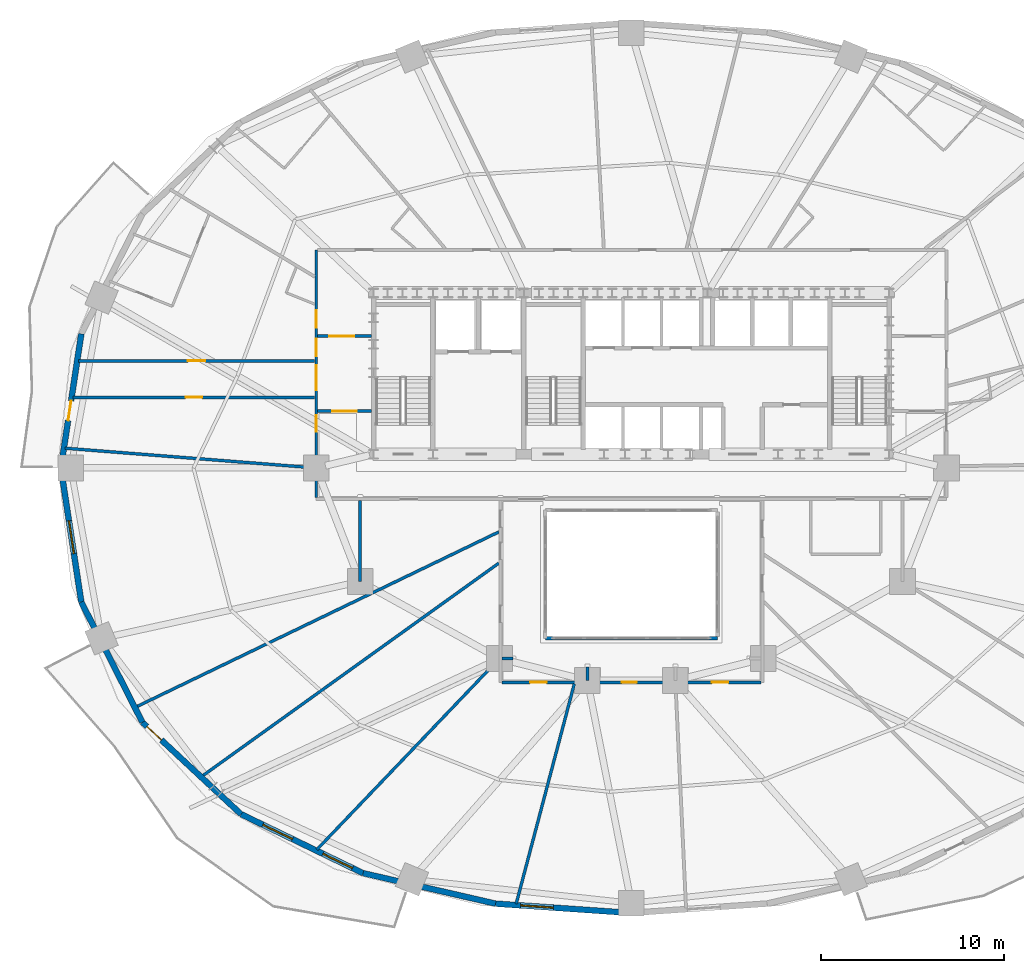
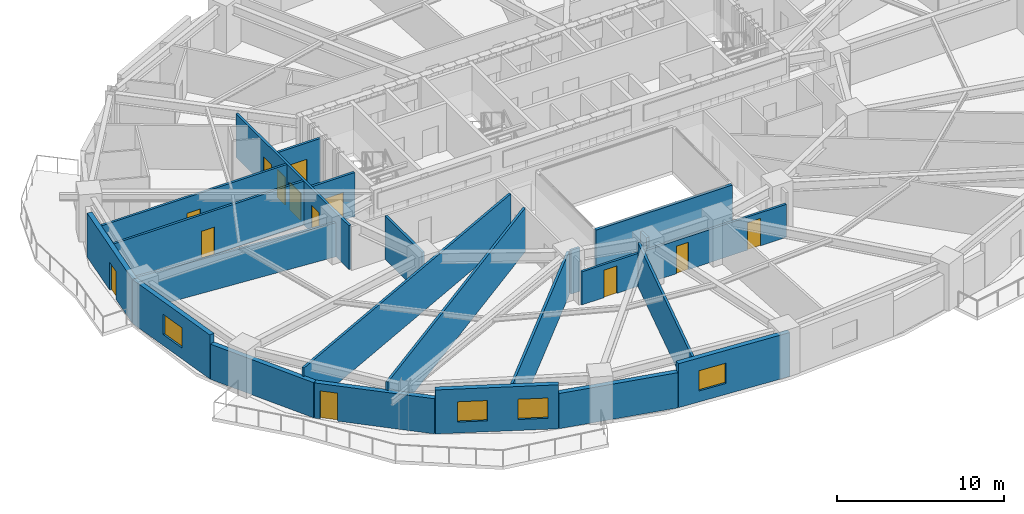
# One storey, part 9 of 17: 22 walls, 13 doors, 4 windows, 17 openings.
"""IFC4 building model written with IfcOpenShell, lengths in metres."""

from ifc_helpers import new_model, si_unit, direction, frame, frame_2d, origin, place, context, subcontext, project, spatial, rectangle, extrude, material, layer, layer_set, type_object, element, fill, save


model = new_model("IFC4")

# Units and contexts
model_context = context("Model", 3, precision=1e-05, world=origin(), true_north=direction((0.0, 1.0)))
body_context = subcontext(model_context, "Body", "Model", "MODEL_VIEW")
ifc_project = project(units=[si_unit("LENGTHUNIT", "METRE"), si_unit("AREAUNIT", "SQUARE_METRE"), si_unit("VOLUMEUNIT", "CUBIC_METRE"), si_unit("PLANEANGLEUNIT", "RADIAN"), si_unit("MASSUNIT", "GRAM", prefix="KILO")], contexts=[model_context])

# Site, building, storey
site_placement = place(None, origin())
site = spatial("IfcSite", under=ifc_project, at=site_placement, CompositionType="ELEMENT")
building_placement = place(site_placement, origin())
building = spatial("IfcBuilding", under=site, at=building_placement, Name="Haldorwick Loom Tower", CompositionType="ELEMENT")
storey_placement = place(building_placement, frame((0.0, 0.0, 30.89990234375)))
storey = spatial("IfcBuildingStorey", under=building, at=storey_placement, Name="L07", CompositionType="ELEMENT", Elevation=30.89990234375)

# Wall, opening, door
ifc_material_1 = material(Name="Pressed Clay Face Brick and Insulated Masonry Backup Assembly", Category="masonry")
ifc_layer_1 = layer(ifc_material_1, 0.320068359375, Name="Pressed Clay Face Brick and Insulated Masonry Backup Assembly", Category="masonry")
ifc_layer_set_1 = layer_set([ifc_layer_1], Name="Pressed Clay Face Brick and Insulated Masonry Backup Assembly")
wall_type_1 = type_object("IfcWallType", Name="ARC-WL-EXT320", PredefinedType="STANDARD", material=ifc_layer_set_1)
wall_1_placement = place(storey_placement, frame((5.978271484375, 33.320556640625, 0.0), z_axis=(0.0, 0.0, 1.0), x_axis=(-0.150476322528, -0.988613613278, 0.0)))
wall_1 = element("IfcWall", 1, at=wall_1_placement, inside=storey, type_object=wall_type_1, Name="L07 Brick Pier and Spandrel Wall 12", PredefinedType="STANDARD", context=body_context, shape_type="SweptSolid", body=[
    extrude(rectangle(XDim=7.40478515625, YDim=0.320068359375, at=frame_2d((3.702392578125, 0.0))), origin(), (0.0, 0.0, 1.0), 3.210205078125),
])
opening_1_placement = place(wall_1_placement, frame((3.702880859375, 0.0, 0.0)))
opening_1 = element("IfcOpeningElement", 2, at=opening_1_placement, cuts=wall_1, Name="Opening D-BL11", PredefinedType="OPENING", context=body_context, shape_type="SweptSolid", body=[
    extrude(rectangle(XDim=1.080078125, YDim=2.0400390625, at=frame_2d((0.5400390625, 1.02001953125))), frame((0.0, 0.169921875, 0.0), z_axis=(0.0, -1.0, 0.0), x_axis=(1.0, 0.0, 0.0)), (0.0, 0.0, 1.0), 0.340087890625),
])
ifc_material_2 = material(Name="Thermally Broken Anodized Aluminium Curtain Wall Framing", Category="aluminium")
door_type_1 = type_object("IfcDoorType", Name="ARC-DR-BAL110", OperationType="NOTDEFINED", PredefinedType="DOOR", material=ifc_material_2)
door_1_placement = place(opening_1_placement, origin())
door_1 = element("IfcDoor", 3, at=door_1_placement, inside=storey, type_object=door_type_1, Name="L07 Outdoor Terrace Door SLB-L07-BAL_WNW", OperationType="SINGLE_SWING_LEFT", OverallHeight=2.0400390625, OverallWidth=1.080078125, PredefinedType="DOOR", context=body_context, shape_type="SweptSolid", body=[
    extrude(rectangle(XDim=1.080078125, YDim=2.0400390625, at=frame_2d((0.5400390625, 1.02001953125))), frame((0.0, 0.02490234375, 0.0), z_axis=(0.0, -1.0, 0.0), x_axis=(1.0, 0.0, 0.0)), (0.0, 0.0, 1.0), 0.050048828125),
])
fill(opening_1, door_1)

# Wall, opening, window
wall_2_placement = place(storey_placement, frame((4.864013671875, 26.0, 0.0), z_axis=(0.0, 0.0, 1.0), x_axis=(0.150476322528, -0.988613613278, 0.0)))
wall_2 = element("IfcWall", 4, at=wall_2_placement, inside=storey, type_object=wall_type_1, Name="L07 Brick Pier and Spandrel Wall 13", PredefinedType="STANDARD", context=body_context, shape_type="SweptSolid", body=[
    extrude(rectangle(XDim=7.40478515625, YDim=0.320068359375, at=frame_2d((3.702392578125, 0.0))), origin(), (0.0, 0.0, 1.0), 3.210205078125),
])
opening_2_placement = place(wall_2_placement, frame((2.922607421875, 0.0, 0.800048828125)))
opening_2 = element("IfcOpeningElement", 5, at=opening_2_placement, cuts=wall_2, Name="Opening W-01", PredefinedType="OPENING", context=body_context, shape_type="SweptSolid", body=[
    extrude(rectangle(XDim=1.800048828125, YDim=1.47998046875, at=frame_2d((0.89990234375, 0.739990234375))), frame((0.0, 0.169921875, 0.0), z_axis=(0.0, -1.0, 0.0), x_axis=(1.0, 0.0, 0.0)), (0.0, 0.0, 1.0), 0.340087890625),
])
ifc_material_3 = material(Name="Triple-Glazed Low-E Argon Insulated Glazing Unit", Category="glass")
window_type = type_object("IfcWindowType", Name="ARC-WIN-W180", PartitioningType="SINGLE_PANEL", PredefinedType="WINDOW", material=ifc_material_3)
window_1_placement = place(opening_2_placement, origin())
window_1 = element("IfcWindow", 6, at=window_1_placement, inside=storey, type_object=window_type, Name="L07 Deep-Set Zone 7A Window 13", OverallHeight=1.47998046875, OverallWidth=1.800048828125, PartitioningType="SINGLE_PANEL", PredefinedType="WINDOW", context=body_context, shape_type="SweptSolid", body=[
    extrude(rectangle(XDim=1.800048828125, YDim=1.47998046875, at=frame_2d((0.89990234375, 0.739990234375))), frame((0.0, 0.030029296875, 0.0), z_axis=(0.0, -1.0, 0.0), x_axis=(1.0, 0.0, 0.0)), (0.0, 0.0, 1.0), 0.06005859375),
])
fill(opening_2, window_1)

# Wall
wall_3_placement = place(storey_placement, frame((5.978271484375, 18.679443359375, 0.0), z_axis=(0.0, 0.0, 1.0), x_axis=(0.452950855928, -0.891535485617, 0.0)))
element("IfcWall", 7, at=wall_3_placement, inside=storey, type_object=wall_type_1, Name="L07 Brick Pier and Spandrel Wall 14", PredefinedType="STANDARD", context=body_context, shape_type="SweptSolid", body=[
    extrude(rectangle(XDim=7.3583984375, YDim=0.320068359375, at=frame_2d((3.67919921875, 0.0))), origin(), (0.0, 0.0, 1.0), 2.569091796875),
])

# Wall, opening, door
wall_4_placement = place(storey_placement, frame((9.311279296875, 12.119140625, 0.0), z_axis=(0.0, 0.0, 1.0), x_axis=(0.73176101237, -0.681561311091, 0.0)))
wall_4 = element("IfcWall", 8, at=wall_4_placement, inside=storey, type_object=wall_type_1, Name="L07 Brick Pier and Spandrel Wall 15", PredefinedType="STANDARD", context=body_context, shape_type="SweptSolid", body=[
    extrude(rectangle(XDim=7.3583984375, YDim=0.320068359375, at=frame_2d((3.67919921875, 0.0))), origin(), (0.0, 0.0, 1.0), 2.569091796875),
])
opening_3_placement = place(wall_4_placement, frame((0.340087890625, 0.0, 0.0)))
opening_3 = element("IfcOpeningElement", 9, at=opening_3_placement, cuts=wall_4, Name="Opening D-BL11", PredefinedType="OPENING", context=body_context, shape_type="SweptSolid", body=[
    extrude(rectangle(XDim=1.080078125, YDim=2.0400390625, at=frame_2d((0.5400390625, 1.02001953125))), frame((0.0, 0.169921875, 0.0), z_axis=(0.0, -1.0, 0.0), x_axis=(1.0, 0.0, 0.0)), (0.0, 0.0, 1.0), 0.340087890625),
])
door_2_placement = place(opening_3_placement, origin())
door_2 = element("IfcDoor", 10, at=door_2_placement, inside=storey, type_object=door_type_1, Name="L07 Outdoor Terrace Door SLB-L07-BAL_SW", OperationType="SINGLE_SWING_LEFT", OverallHeight=2.0400390625, OverallWidth=1.080078125, PredefinedType="DOOR", context=body_context, shape_type="SweptSolid", body=[
    extrude(rectangle(XDim=1.080078125, YDim=2.0400390625, at=frame_2d((0.5400390625, 1.02001953125))), frame((0.0, 0.02490234375, 0.0), z_axis=(0.0, -1.0, 0.0), x_axis=(1.0, 0.0, 0.0)), (0.0, 0.0, 1.0), 0.050048828125),
])
fill(opening_3, door_2)

# Wall, openings, windows
wall_5_placement = place(storey_placement, frame((14.69580078125, 7.10400390625, 0.0), z_axis=(0.0, 0.0, 1.0), x_axis=(0.900295710431, -0.435278800057, 0.0)))
wall_5 = element("IfcWall", 11, at=wall_5_placement, inside=storey, type_object=wall_type_1, Name="L07 Brick Pier and Spandrel Wall 16", PredefinedType="STANDARD", context=body_context, shape_type="SweptSolid", body=[
    extrude(rectangle(XDim=7.39697265625, YDim=0.320068359375, at=frame_2d((3.698486328125, 0.0))), origin(), (0.0, 0.0, 1.0), 3.210205078125),
])
opening_4_placement = place(wall_5_placement, frame((1.319091796875, 0.0, 0.800048828125)))
opening_4 = element("IfcOpeningElement", 12, at=opening_4_placement, cuts=wall_5, Name="Opening W-01", PredefinedType="OPENING", context=body_context, shape_type="SweptSolid", body=[
    extrude(rectangle(XDim=1.800048828125, YDim=1.47998046875, at=frame_2d((0.89990234375, 0.739990234375))), frame((0.0, 0.169921875, 0.0), z_axis=(0.0, -1.0, 0.0), x_axis=(1.0, 0.0, 0.0)), (0.0, 0.0, 1.0), 0.340087890625),
])
opening_5_placement = place(wall_5_placement, frame((4.957275390625, 0.0, 0.800048828125)))
opening_5 = element("IfcOpeningElement", 13, at=opening_5_placement, cuts=wall_5, Name="Opening W-01", PredefinedType="OPENING", context=body_context, shape_type="SweptSolid", body=[
    extrude(rectangle(XDim=1.800048828125, YDim=1.47998046875, at=frame_2d((0.89990234375, 0.739990234375))), frame((0.0, 0.169921875, 0.0), z_axis=(0.0, -1.0, 0.0), x_axis=(1.0, 0.0, 0.0)), (0.0, 0.0, 1.0), 0.340087890625),
])
window_2_placement = place(opening_4_placement, origin())
window_2 = element("IfcWindow", 14, at=window_2_placement, inside=storey, type_object=window_type, Name="L07 Deep-Set Zone 7A Window 16", OverallHeight=1.47998046875, OverallWidth=1.800048828125, PartitioningType="SINGLE_PANEL", PredefinedType="WINDOW", context=body_context, shape_type="SweptSolid", body=[
    extrude(rectangle(XDim=1.800048828125, YDim=1.47998046875, at=frame_2d((0.89990234375, 0.739990234375))), frame((0.0, 0.030029296875, 0.0), z_axis=(0.0, -1.0, 0.0), x_axis=(1.0, 0.0, 0.0)), (0.0, 0.0, 1.0), 0.06005859375),
])
fill(opening_4, window_2)
window_3_placement = place(opening_5_placement, origin())
window_3 = element("IfcWindow", 15, at=window_3_placement, inside=storey, type_object=window_type, Name="L07 Deep-Set Zone 7A Window 16", OverallHeight=1.47998046875, OverallWidth=1.800048828125, PartitioningType="SINGLE_PANEL", PredefinedType="WINDOW", context=body_context, shape_type="SweptSolid", body=[
    extrude(rectangle(XDim=1.800048828125, YDim=1.47998046875, at=frame_2d((0.89990234375, 0.739990234375))), frame((0.0, 0.030029296875, 0.0), z_axis=(0.0, -1.0, 0.0), x_axis=(1.0, 0.0, 0.0)), (0.0, 0.0, 1.0), 0.06005859375),
])
fill(opening_5, window_3)

# Wall
wall_6_placement = place(storey_placement, frame((21.355224609375, 3.88427734375, 0.0), z_axis=(0.0, 0.0, 1.0), x_axis=(0.974522412345, -0.224290142088, 0.0)))
element("IfcWall", 16, at=wall_6_placement, inside=storey, type_object=wall_type_1, Name="L07 Brick Pier and Spandrel Wall 17", PredefinedType="STANDARD", context=body_context, shape_type="SweptSolid", body=[
    extrude(rectangle(XDim=7.422607421875, YDim=0.320068359375, at=frame_2d((3.71142578125, 0.0))), origin(), (0.0, 0.0, 1.0), 2.569091796875),
])

# Wall, opening, window
wall_7_placement = place(storey_placement, frame((28.588623046875, 2.219482421875, 0.0), z_axis=(0.0, 0.0, 1.0), x_axis=(0.997645161917, -0.068586667092, 0.0)))
wall_7 = element("IfcWall", 17, at=wall_7_placement, inside=storey, type_object=wall_type_1, Name="L07 Brick Pier and Spandrel Wall 18", PredefinedType="STANDARD", context=body_context, shape_type="SweptSolid", body=[
    extrude(rectangle(XDim=7.428955078125, YDim=0.320068359375, at=frame_2d((3.71435546875, 0.0))), origin(), (0.0, 0.0, 1.0), 3.210205078125),
])
opening_6_placement = place(wall_7_placement, frame((1.365966796875, 0.0, 0.800048828125)))
opening_6 = element("IfcOpeningElement", 18, at=opening_6_placement, cuts=wall_7, Name="Opening W-01", PredefinedType="OPENING", context=body_context, shape_type="SweptSolid", body=[
    extrude(rectangle(XDim=1.800048828125, YDim=1.47998046875, at=frame_2d((0.89990234375, 0.739990234375))), frame((0.0, 0.169921875, 0.0), z_axis=(0.0, -1.0, 0.0), x_axis=(1.0, 0.0, 0.0)), (0.0, 0.0, 1.0), 0.340087890625),
])
window_4_placement = place(opening_6_placement, origin())
window_4 = element("IfcWindow", 19, at=window_4_placement, inside=storey, type_object=window_type, Name="L07 Deep-Set Zone 7A Window 18", OverallHeight=1.47998046875, OverallWidth=1.800048828125, PartitioningType="SINGLE_PANEL", PredefinedType="WINDOW", context=body_context, shape_type="SweptSolid", body=[
    extrude(rectangle(XDim=1.800048828125, YDim=1.47998046875, at=frame_2d((0.89990234375, 0.739990234375))), frame((0.0, 0.030029296875, 0.0), z_axis=(0.0, -1.0, 0.0), x_axis=(1.0, 0.0, 0.0)), (0.0, 0.0, 1.0), 0.06005859375),
])
fill(opening_6, window_4)

# Wall, openings, doors
ifc_material_4 = material(Name="Fire-Rated Type X Gypsum Stud Assembly EI 60")
ifc_layer_2 = layer(ifc_material_4, 0.159912109375, Name="Fire-Rated Type X Gypsum Stud Assembly EI 60")
ifc_layer_set_2 = layer_set([ifc_layer_2], Name="Fire-Rated Type X Gypsum Stud Assembly EI 60")
wall_type_2 = type_object("IfcWallType", Name="ARC-WL-FIRE160", PredefinedType="PARTITIONING", material=ifc_layer_set_2)
wall_8_placement = place(storey_placement, frame((18.800048828125, 24.383056640625, 0.0), z_axis=(0.0, 0.0, 1.0), x_axis=(0.0, 1.0, 0.0)))
wall_8 = element("IfcWall", 20, at=wall_8_placement, inside=storey, type_object=wall_type_2, Name="L07 Residential Fire Partition L07-CR-W0", PredefinedType="PARTITIONING", context=body_context, shape_type="SweptSolid", body=[
    extrude(rectangle(XDim=13.516845703125, YDim=0.159912109375, at=frame_2d((6.75830078125, 0.0))), origin(), (0.0, 0.0, 1.0), 3.195068359375),
])
opening_7_placement = place(wall_8_placement, frame((5.86181640625, 0.0, 0.0)))
opening_7 = element("IfcOpeningElement", 21, at=opening_7_placement, cuts=wall_8, Name="Opening D-CR15", PredefinedType="OPENING", context=body_context, shape_type="SweptSolid", body=[
    extrude(rectangle(XDim=1.35009765625, YDim=2.0, at=frame_2d((0.675048828125, 1.0))), frame((0.0, 0.08984375, 0.0), z_axis=(0.0, -1.0, 0.0), x_axis=(1.0, 0.0, 0.0)), (0.0, 0.0, 1.0), 0.179931640625),
])
opening_8_placement = place(wall_8_placement, frame((3.5908203125, 0.0, 0.0)))
opening_8 = element("IfcOpeningElement", 22, at=opening_8_placement, cuts=wall_8, Name="Opening D-FD60A", PredefinedType="OPENING", context=body_context, shape_type="SweptSolid", body=[
    extrude(rectangle(XDim=0.89990234375, YDim=2.0, at=frame_2d((0.449951171875, 1.0))), frame((0.0, 0.08984375, 0.0), z_axis=(0.0, -1.0, 0.0), x_axis=(1.0, 0.0, 0.0)), (0.0, 0.0, 1.0), 0.179931640625),
])
opening_9_placement = place(wall_8_placement, frame((9.27490234375, 0.0, 0.0)))
opening_9 = element("IfcOpeningElement", 23, at=opening_9_placement, cuts=wall_8, Name="Opening D-FL95", PredefinedType="OPENING", context=body_context, shape_type="SweptSolid", body=[
    extrude(rectangle(XDim=0.949951171875, YDim=2.0400390625, at=frame_2d((0.47509765625, 1.02001953125))), frame((0.0, 0.08984375, 0.0), z_axis=(0.0, -1.0, 0.0), x_axis=(1.0, 0.0, 0.0)), (0.0, 0.0, 1.0), 0.179931640625),
])
opening_10_placement = place(wall_8_placement, frame((7.723876953125, 0.0, 0.0)))
opening_10 = element("IfcOpeningElement", 24, at=opening_10_placement, cuts=wall_8, Name="Opening D-FL95", PredefinedType="OPENING", context=body_context, shape_type="SweptSolid", body=[
    extrude(rectangle(XDim=0.949951171875, YDim=2.0400390625, at=frame_2d((0.47509765625, 1.02001953125))), frame((0.0, 0.08984375, 0.0), z_axis=(0.0, -1.0, 0.0), x_axis=(1.0, 0.0, 0.0)), (0.0, 0.0, 1.0), 0.179931640625),
])
ifc_material_5 = material(Name="Thermally Broken Anodized Aluminium and Tempered Glass", Category="aluminium")
door_type_2 = type_object("IfcDoorType", Name="ARC-DR-COR150", OperationType="NOTDEFINED", PredefinedType="DOOR", material=ifc_material_5)
door_3_placement = place(opening_7_placement, origin())
door_3 = element("IfcDoor", 25, at=door_3_placement, inside=storey, type_object=door_type_2, Name="L07 L07 West Daylight Corridor to L07 West Residential Corridor Door", OperationType="DOUBLE_DOOR_SINGLE_SWING", OverallHeight=2.0, OverallWidth=1.35009765625, PredefinedType="DOOR", context=body_context, shape_type="SweptSolid", body=[
    extrude(rectangle(XDim=1.35009765625, YDim=2.0, at=frame_2d((0.675048828125, 1.0))), frame((0.0, 0.02490234375, 0.0), z_axis=(0.0, -1.0, 0.0), x_axis=(1.0, 0.0, 0.0)), (0.0, 0.0, 1.0), 0.050048828125),
])
fill(opening_7, door_3)
ifc_material_6 = material(Name="Hollow Steel Fire Door Assembly", Category="steel")
door_type_3 = type_object("IfcDoorType", Name="ARC-DR-FD60-90", OperationType="NOTDEFINED", PredefinedType="DOOR", material=ifc_material_6)
door_4_placement = place(opening_8_placement, frame((0.89990234375, 0.0, 0.0), z_axis=(0.0, 0.0, 1.0), x_axis=(-1.0, 0.0, 0.0)))
door_4 = element("IfcDoor", 26, at=door_4_placement, inside=storey, type_object=door_type_3, Name="L07 Community Library Room 1 to L07 Central Residential Corridor Door", OperationType="SINGLE_SWING_LEFT", OverallHeight=2.0, OverallWidth=0.89990234375, PredefinedType="DOOR", context=body_context, shape_type="SweptSolid", body=[
    extrude(rectangle(XDim=0.89990234375, YDim=2.0, at=frame_2d((0.449951171875, 1.0))), frame((0.0, 0.02490234375, 0.0), z_axis=(0.0, -1.0, 0.0), x_axis=(1.0, 0.0, 0.0)), (0.0, 0.0, 1.0), 0.050048828125),
])
fill(opening_8, door_4)
ifc_material_7 = material(Name="Solid Core Birch Architectural Door")
door_type_4 = type_object("IfcDoorType", Name="ARC-DR-FLAT95", OperationType="NOTDEFINED", PredefinedType="DOOR", material=ifc_material_7)
door_5_placement = place(opening_9_placement, frame((0.949951171875, 0.0, 0.0), z_axis=(0.0, 0.0, 1.0), x_axis=(-1.0, 0.0, 0.0)))
door_5 = element("IfcDoor", 27, at=door_5_placement, inside=storey, type_object=door_type_4, Name="L07 Unit 07A Kitchen and Living Room to L07 North Residential Corridor D", OperationType="SINGLE_SWING_LEFT", OverallHeight=2.0400390625, OverallWidth=0.949951171875, PredefinedType="DOOR", context=body_context, shape_type="SweptSolid", body=[
    extrude(rectangle(XDim=0.949951171875, YDim=2.0400390625, at=frame_2d((0.47509765625, 1.02001953125))), frame((0.0, 0.02490234375, 0.0), z_axis=(0.0, -1.0, 0.0), x_axis=(1.0, 0.0, 0.0)), (0.0, 0.0, 1.0), 0.050048828125),
])
fill(opening_9, door_5)
door_6_placement = place(opening_10_placement, frame((0.949951171875, 0.0, 0.0), z_axis=(0.0, 0.0, 1.0), x_axis=(-1.0, 0.0, 0.0)))
door_6 = element("IfcDoor", 28, at=door_6_placement, inside=storey, type_object=door_type_4, Name="L07 Unit 07A Kitchen and Living Room to L07 West Residential Corridor Do", OperationType="SINGLE_SWING_RIGHT", OverallHeight=2.0400390625, OverallWidth=0.949951171875, PredefinedType="DOOR", context=body_context, shape_type="SweptSolid", body=[
    extrude(rectangle(XDim=0.949951171875, YDim=2.0400390625, at=frame_2d((0.47509765625, 1.02001953125))), frame((0.0, 0.02490234375, 0.0), z_axis=(0.0, -1.0, 0.0), x_axis=(1.0, 0.0, 0.0)), (0.0, 0.0, 1.0), 0.050048828125),
])
fill(opening_10, door_6)

# Wall, opening, door
wall_9_placement = place(storey_placement, frame((18.883056640625, 29.10009765625, 0.0), z_axis=(0.0, 0.0, 1.0), x_axis=(1.0, 0.0, 0.0)))
wall_9 = element("IfcWall", 29, at=wall_9_placement, inside=storey, type_object=wall_type_2, Name="L07 Residential Fire Partition L07-CR-WSJ", PredefinedType="PARTITIONING", context=body_context, shape_type="SweptSolid", body=[
    extrude(rectangle(XDim=2.923828125, YDim=0.159912109375, at=frame_2d((1.4619140625, 0.0))), origin(), (0.0, 0.0, 1.0), 3.195068359375),
])
opening_11_placement = place(wall_9_placement, frame((0.787109375, 0.0, 0.0)))
opening_11 = element("IfcOpeningElement", 30, at=opening_11_placement, cuts=wall_9, Name="Opening D-CR15", PredefinedType="OPENING", context=body_context, shape_type="SweptSolid", body=[
    extrude(rectangle(XDim=1.35009765625, YDim=2.0, at=frame_2d((0.675048828125, 1.0))), frame((0.0, 0.08984375, 0.0), z_axis=(0.0, -1.0, 0.0), x_axis=(1.0, 0.0, 0.0)), (0.0, 0.0, 1.0), 0.179931640625),
])
door_7_placement = place(opening_11_placement, origin())
door_7 = element("IfcDoor", 31, at=door_7_placement, inside=storey, type_object=door_type_2, Name="L07 L07 West Residential Corridor to L07 Central Residential Corridor Do", OperationType="DOUBLE_DOOR_SINGLE_SWING", OverallHeight=2.0, OverallWidth=1.35009765625, PredefinedType="DOOR", context=body_context, shape_type="SweptSolid", body=[
    extrude(rectangle(XDim=1.35009765625, YDim=2.0, at=frame_2d((0.675048828125, 1.0))), frame((0.0, 0.02490234375, 0.0), z_axis=(0.0, -1.0, 0.0), x_axis=(1.0, 0.0, 0.0)), (0.0, 0.0, 1.0), 0.050048828125),
])
fill(opening_11, door_7)

wall_10_placement = place(storey_placement, frame((18.883056640625, 33.199951171875, 0.0), z_axis=(0.0, 0.0, 1.0), x_axis=(1.0, 0.0, 0.0)))
wall_10 = element("IfcWall", 32, at=wall_10_placement, inside=storey, type_object=wall_type_2, Name="L07 Residential Fire Partition L07-CR-WNJ", PredefinedType="PARTITIONING", context=body_context, shape_type="SweptSolid", body=[
    extrude(rectangle(XDim=2.923828125, YDim=0.159912109375, at=frame_2d((1.4619140625, 0.0))), origin(), (0.0, 0.0, 1.0), 3.195068359375),
])
opening_12_placement = place(wall_10_placement, frame((0.637939453125, 0.0, 0.0)))
opening_12 = element("IfcOpeningElement", 33, at=opening_12_placement, cuts=wall_10, Name="Opening D-CR15", PredefinedType="OPENING", context=body_context, shape_type="SweptSolid", body=[
    extrude(rectangle(XDim=1.35009765625, YDim=2.0, at=frame_2d((0.675048828125, 1.0))), frame((0.0, 0.08984375, 0.0), z_axis=(0.0, -1.0, 0.0), x_axis=(1.0, 0.0, 0.0)), (0.0, 0.0, 1.0), 0.179931640625),
])
door_8_placement = place(opening_12_placement, origin())
door_8 = element("IfcDoor", 34, at=door_8_placement, inside=storey, type_object=door_type_2, Name="L07 L07 North Residential Corridor to L07 West Residential Corridor Door", OperationType="DOUBLE_DOOR_SINGLE_SWING", OverallHeight=2.0, OverallWidth=1.35009765625, PredefinedType="DOOR", context=body_context, shape_type="SweptSolid", body=[
    extrude(rectangle(XDim=1.35009765625, YDim=2.0, at=frame_2d((0.675048828125, 1.0))), frame((0.0, 0.02490234375, 0.0), z_axis=(0.0, -1.0, 0.0), x_axis=(1.0, 0.0, 0.0)), (0.0, 0.0, 1.0), 0.050048828125),
])
fill(opening_12, door_8)

# Wall, openings, doors
wall_11_placement = place(storey_placement, frame((28.93310546875, 14.300048828125, 0.0), z_axis=(0.0, 0.0, 1.0), x_axis=(1.0, 0.0, 0.0)))
wall_11 = element("IfcWall", 35, at=wall_11_placement, inside=storey, type_object=wall_type_2, Name="L07 Residential Fire Partition L07-CR-AS", PredefinedType="PARTITIONING", context=body_context, shape_type="SweptSolid", body=[
    extrude(rectangle(XDim=14.1337890625, YDim=0.159912109375, at=frame_2d((7.06689453125, 0.0))), origin(), (0.0, 0.0, 1.0), 2.412109375),
])
opening_13_placement = place(wall_11_placement, frame((11.455322265625, 0.0, 0.0)))
opening_13 = element("IfcOpeningElement", 36, at=opening_13_placement, cuts=wall_11, Name="Opening D-FD60A", PredefinedType="OPENING", context=body_context, shape_type="SweptSolid", body=[
    extrude(rectangle(XDim=0.89990234375, YDim=2.0, at=frame_2d((0.449951171875, 1.0))), frame((0.0, 0.08984375, 0.0), z_axis=(0.0, -1.0, 0.0), x_axis=(1.0, 0.0, 0.0)), (0.0, 0.0, 1.0), 0.179931640625),
])
opening_14_placement = place(wall_11_placement, frame((1.53759765625, 0.0, 0.0)))
opening_14 = element("IfcOpeningElement", 37, at=opening_14_placement, cuts=wall_11, Name="Opening D-FD60A", PredefinedType="OPENING", context=body_context, shape_type="SweptSolid", body=[
    extrude(rectangle(XDim=0.89990234375, YDim=2.0, at=frame_2d((0.449951171875, 1.0))), frame((0.0, 0.08984375, 0.0), z_axis=(0.0, -1.0, 0.0), x_axis=(1.0, 0.0, 0.0)), (0.0, 0.0, 1.0), 0.179931640625),
])
opening_15_placement = place(wall_11_placement, frame((6.555419921875, 0.0, 0.0)))
opening_15 = element("IfcOpeningElement", 38, at=opening_15_placement, cuts=wall_11, Name="Opening D-FD80", PredefinedType="OPENING", context=body_context, shape_type="SweptSolid", body=[
    extrude(rectangle(XDim=0.800048828125, YDim=2.0, at=frame_2d((0.39990234375, 1.0))), frame((0.0, 0.08984375, 0.0), z_axis=(0.0, -1.0, 0.0), x_axis=(1.0, 0.0, 0.0)), (0.0, 0.0, 1.0), 0.179931640625),
])
door_type_5 = type_object("IfcDoorType", Name="ARC-DR-FD60-80", OperationType="NOTDEFINED", PredefinedType="DOOR", material=ifc_material_6)
door_9_placement = place(opening_15_placement, origin())
door_9 = element("IfcDoor", 39, at=door_9_placement, inside=storey, type_object=door_type_5, Name="L07 L07 South Atrium Corridor to Shared Resident Dining Hall 2 Door", OperationType="SINGLE_SWING_LEFT", OverallHeight=2.0, OverallWidth=0.800048828125, PredefinedType="DOOR", context=body_context, shape_type="SweptSolid", body=[
    extrude(rectangle(XDim=0.800048828125, YDim=2.0, at=frame_2d((0.39990234375, 1.0))), frame((0.0, 0.02490234375, 0.0), z_axis=(0.0, -1.0, 0.0), x_axis=(1.0, 0.0, 0.0)), (0.0, 0.0, 1.0), 0.050048828125),
])
fill(opening_15, door_9)
door_10_placement = place(opening_13_placement, origin())
door_10 = element("IfcDoor", 40, at=door_10_placement, inside=storey, type_object=door_type_3, Name="L07 L07 South Atrium Corridor to Shared Resident Dining Hall 5 Door", OperationType="SINGLE_SWING_LEFT", OverallHeight=2.0, OverallWidth=0.89990234375, PredefinedType="DOOR", context=body_context, shape_type="SweptSolid", body=[
    extrude(rectangle(XDim=0.89990234375, YDim=2.0, at=frame_2d((0.449951171875, 1.0))), frame((0.0, 0.02490234375, 0.0), z_axis=(0.0, -1.0, 0.0), x_axis=(1.0, 0.0, 0.0)), (0.0, 0.0, 1.0), 0.050048828125),
])
fill(opening_13, door_10)
door_11_placement = place(opening_14_placement, origin())
door_11 = element("IfcDoor", 41, at=door_11_placement, inside=storey, type_object=door_type_3, Name="L07 L07 South Atrium Corridor to Shared Resident Dining Hall 3 Door", OperationType="SINGLE_SWING_LEFT", OverallHeight=2.0, OverallWidth=0.89990234375, PredefinedType="DOOR", context=body_context, shape_type="SweptSolid", body=[
    extrude(rectangle(XDim=0.89990234375, YDim=2.0, at=frame_2d((0.449951171875, 1.0))), frame((0.0, 0.02490234375, 0.0), z_axis=(0.0, -1.0, 0.0), x_axis=(1.0, 0.0, 0.0)), (0.0, 0.0, 1.0), 0.050048828125),
])
fill(opening_14, door_11)

# Wall, opening, door
wall_12_placement = place(storey_placement, frame((5.515625, 29.85009765625, 0.0), z_axis=(0.0, 0.0, 1.0), x_axis=(1.0, 0.0, 0.0)))
wall_12 = element("IfcWall", 42, at=wall_12_placement, inside=storey, type_object=wall_type_2, Name="L07 Residential Fire Partition L07-CR-GW0", PredefinedType="PARTITIONING", context=body_context, shape_type="SweptSolid", body=[
    extrude(rectangle(XDim=13.201416015625, YDim=0.159912109375, at=frame_2d((6.6005859375, 0.0))), origin(), (0.0, 0.0, 1.0), 3.195068359375),
])
opening_16_placement = place(wall_12_placement, frame((6.150634765625, 0.0, 0.0)))
opening_16 = element("IfcOpeningElement", 43, at=opening_16_placement, cuts=wall_12, Name="Opening D-FD60A", PredefinedType="OPENING", context=body_context, shape_type="SweptSolid", body=[
    extrude(rectangle(XDim=0.89990234375, YDim=2.0, at=frame_2d((0.449951171875, 1.0))), frame((0.0, 0.08984375, 0.0), z_axis=(0.0, -1.0, 0.0), x_axis=(1.0, 0.0, 0.0)), (0.0, 0.0, 1.0), 0.179931640625),
])
door_12_placement = place(opening_16_placement, origin())
door_12 = element("IfcDoor", 44, at=door_12_placement, inside=storey, type_object=door_type_3, Name="L07 L07 West Daylight Corridor to Community Library Room 1 Door", OperationType="SINGLE_SWING_LEFT", OverallHeight=2.0, OverallWidth=0.89990234375, PredefinedType="DOOR", context=body_context, shape_type="SweptSolid", body=[
    extrude(rectangle(XDim=0.89990234375, YDim=2.0, at=frame_2d((0.449951171875, 1.0))), frame((0.0, 0.02490234375, 0.0), z_axis=(0.0, -1.0, 0.0), x_axis=(1.0, 0.0, 0.0)), (0.0, 0.0, 1.0), 0.050048828125),
])
fill(opening_16, door_12)

wall_13_placement = place(storey_placement, frame((5.820068359375, 31.85009765625, 0.0), z_axis=(0.0, 0.0, 1.0), x_axis=(1.0, 0.0, 0.0)))
wall_13 = element("IfcWall", 45, at=wall_13_placement, inside=storey, type_object=wall_type_2, Name="L07 Residential Fire Partition L07-CR-GW1", PredefinedType="PARTITIONING", context=body_context, shape_type="SweptSolid", body=[
    extrude(rectangle(XDim=12.89697265625, YDim=0.159912109375, at=frame_2d((6.448486328125, 0.0))), origin(), (0.0, 0.0, 1.0), 3.195068359375),
])
opening_17_placement = place(wall_13_placement, frame((5.973388671875, 0.0, 0.0)))
opening_17 = element("IfcOpeningElement", 46, at=opening_17_placement, cuts=wall_13, Name="Opening D-FL95", PredefinedType="OPENING", context=body_context, shape_type="SweptSolid", body=[
    extrude(rectangle(XDim=0.949951171875, YDim=2.0400390625, at=frame_2d((0.47509765625, 1.02001953125))), frame((0.0, 0.08984375, 0.0), z_axis=(0.0, -1.0, 0.0), x_axis=(1.0, 0.0, 0.0)), (0.0, 0.0, 1.0), 0.179931640625),
])
door_13_placement = place(opening_17_placement, frame((0.949951171875, 0.0, 0.0), z_axis=(0.0, 0.0, 1.0), x_axis=(-1.0, 0.0, 0.0)))
door_13 = element("IfcDoor", 47, at=door_13_placement, inside=storey, type_object=door_type_4, Name="L07 Unit 07A Kitchen and Living Room to L07 West Daylight Corridor Door", OperationType="SINGLE_SWING_RIGHT", OverallHeight=2.0400390625, OverallWidth=0.949951171875, PredefinedType="DOOR", context=body_context, shape_type="SweptSolid", body=[
    extrude(rectangle(XDim=0.949951171875, YDim=2.0400390625, at=frame_2d((0.47509765625, 1.02001953125))), frame((0.0, 0.02490234375, 0.0), z_axis=(0.0, -1.0, 0.0), x_axis=(1.0, 0.0, 0.0)), (0.0, 0.0, 1.0), 0.050048828125),
])
fill(opening_17, door_13)

# Walls
wall_14_placement = place(storey_placement, frame((28.76708984375, 15.5654296875, 0.0), z_axis=(0.0, 0.0, 1.0), x_axis=(-0.690829161036, -0.723018029002, 0.0)))
element("IfcWall", 48, at=wall_14_placement, inside=storey, type_object=wall_type_2, Name="L07 Residential Fire Partition L07-ICR-08", PredefinedType="PARTITIONING", context=body_context, shape_type="SweptSolid", body=[
    extrude(rectangle(XDim=14.372802734375, YDim=0.159912109375, at=frame_2d((7.1865234375, 0.0))), origin(), (0.0, 0.0, 1.0), 3.195068359375),
])
wall_15_placement = place(storey_placement, frame((18.717041015625, 26.006591796875, 0.0), z_axis=(0.0, 0.0, 1.0), x_axis=(-0.99691810959, 0.078449236903, 0.0)))
element("IfcWall", 49, at=wall_15_placement, inside=storey, type_object=wall_type_2, Name="L07 Residential Fire Partition L07-ICR-10", PredefinedType="PARTITIONING", context=body_context, shape_type="SweptSolid", body=[
    extrude(rectangle(XDim=13.665283203125, YDim=0.159912109375, at=frame_2d((6.83251953125, 0.0))), origin(), (0.0, 0.0, 1.0), 2.489990234375),
])
wall_16_placement = place(storey_placement, frame((33.60009765625, 15.14990234375, 0.0), z_axis=(0.0, 0.0, 1.0), x_axis=(0.0, -1.0, 0.0)))
element("IfcWall", 50, at=wall_16_placement, inside=storey, type_object=wall_type_2, Name="L07 Residential Fire Partition L07-ICA-06", PredefinedType="PARTITIONING", context=body_context, shape_type="SweptSolid", body=[
    extrude(rectangle(XDim=0.75, YDim=0.159912109375, at=frame_2d((0.375, 0.0))), origin(), (0.0, 0.0, 1.0), 3.195068359375),
])
wall_17_placement = place(storey_placement, frame((29.550048828125, 15.60009765625, 0.0), z_axis=(0.0, 0.0, 1.0), x_axis=(-1.0, 0.0, 0.0)))
element("IfcWall", 51, at=wall_17_placement, inside=storey, type_object=wall_type_2, Name="L07 Residential Fire Partition L07-ICA-07", PredefinedType="PARTITIONING", context=body_context, shape_type="SweptSolid", body=[
    extrude(rectangle(XDim=0.616943359375, YDim=0.159912109375, at=frame_2d((0.30859375, 0.0))), origin(), (0.0, 0.0, 1.0), 3.195068359375),
])
wall_18_placement = place(storey_placement, frame((21.199951171875, 24.217041015625, 0.0), z_axis=(0.0, 0.0, 1.0), x_axis=(0.0, -1.0, 0.0)))
element("IfcWall", 52, at=wall_18_placement, inside=storey, type_object=wall_type_2, Name="L07 Residential Fire Partition L07-ICA-09", PredefinedType="PARTITIONING", context=body_context, shape_type="SweptSolid", body=[
    extrude(rectangle(XDim=4.4169921875, YDim=0.159912109375, at=frame_2d((2.20849609375, 0.0))), origin(), (0.0, 0.0, 1.0), 3.195068359375),
])
wall_19_placement = place(storey_placement, frame((32.885986328125, 14.217041015625, 0.0), z_axis=(0.0, 0.0, 1.0), x_axis=(-0.255522498583, -0.966803109593, 0.0)))
element("IfcWall", 53, at=wall_19_placement, inside=storey, type_object=wall_type_2, Name="L07 Suite Split Wall", PredefinedType="PARTITIONING", context=body_context, shape_type="SweptSolid", body=[
    extrude(rectangle(XDim=12.421875, YDim=0.159912109375, at=frame_2d((6.2109375, 0.0))), origin(), (0.0, 0.0, 1.0), 3.195068359375),
])
wall_20_placement = place(storey_placement, frame((28.76708984375, 22.510498046875, 0.0), z_axis=(0.0, 0.0, 1.0), x_axis=(-0.900658917852, -0.434526769824, 0.0)))
element("IfcWall", 54, at=wall_20_placement, inside=storey, type_object=wall_type_2, Name="L07 Suite Split Wall", PredefinedType="PARTITIONING", context=body_context, shape_type="SweptSolid", body=[
    extrude(rectangle(XDim=21.9921875, YDim=0.159912109375, at=frame_2d((10.99609375, 0.0))), origin(), (0.0, 0.0, 1.0), 3.195068359375),
])
wall_21_placement = place(storey_placement, frame((28.76708984375, 20.806884765625, 0.0), z_axis=(0.0, 0.0, 1.0), x_axis=(-0.812313323995, -0.5832212819, 0.0)))
element("IfcWall", 55, at=wall_21_placement, inside=storey, type_object=wall_type_2, Name="L07 Suite Split Wall", PredefinedType="PARTITIONING", context=body_context, shape_type="SweptSolid", body=[
    extrude(rectangle(XDim=19.943359375, YDim=0.159912109375, at=frame_2d((9.9716796875, 0.0))), origin(), (0.0, 0.0, 1.0), 3.195068359375),
])
ifc_material_8 = material(Name="Fire-Rated Type X Gypsum Stud Assembly EI 120")
ifc_layer_3 = layer(ifc_material_8, 0.199951171875, Name="Fire-Rated Type X Gypsum Stud Assembly EI 120")
ifc_layer_set_3 = layer_set([ifc_layer_3], Name="Fire-Rated Type X Gypsum Stud Assembly EI 120")
wall_type_3 = type_object("IfcWallType", Name="ARC-WL-FIRE200", PredefinedType="PARTITIONING", material=ifc_layer_set_3)
wall_22_placement = place(storey_placement, frame((40.699951171875, 16.699951171875, 0.0), z_axis=(0.0, 0.0, 1.0), x_axis=(-1.0, 0.0, 0.0)))
element("IfcWall", 56, at=wall_22_placement, inside=storey, type_object=wall_type_3, Name="L07 Atrium Fire Enclosure Wall S", PredefinedType="PARTITIONING", context=body_context, shape_type="SweptSolid", body=[
    extrude(rectangle(XDim=9.39990234375, YDim=0.199951171875, at=frame_2d((4.699951171875, 0.0))), origin(), (0.0, 0.0, 1.0), 3.195068359375),
])

save(model, "model.ifc")
